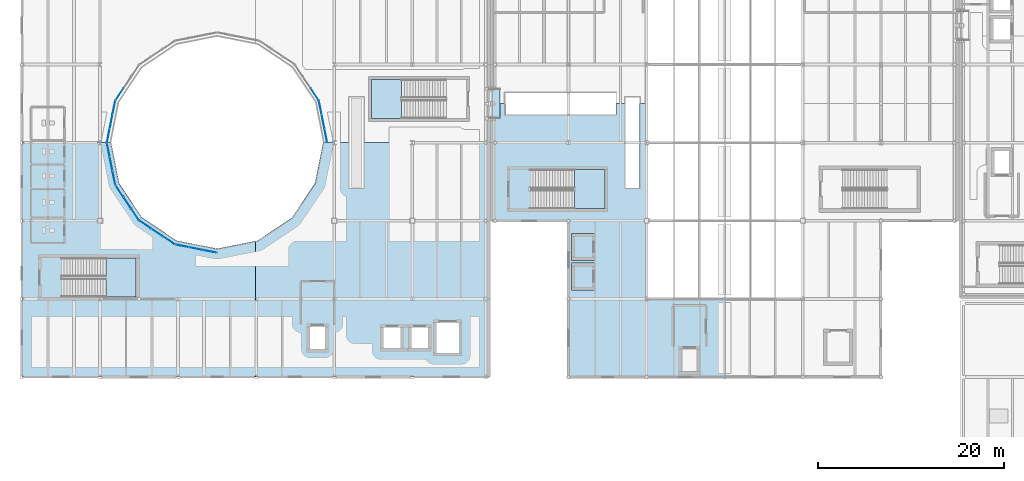
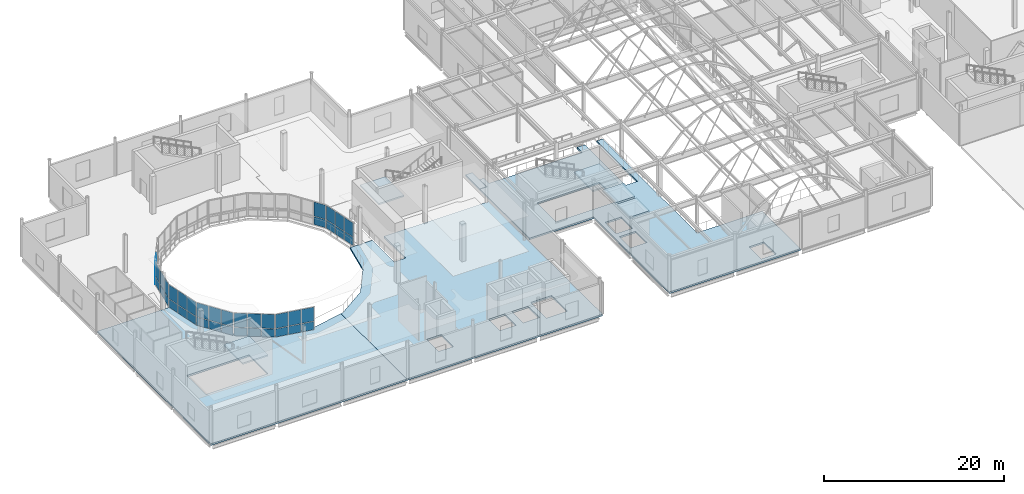
# One storey, part 57 of 103: 40 plates, 9 slabs, 11 elements without a shape of their own.
"""IFC4 building model written with IfcOpenShell, lengths in metres."""

from ifc_helpers import new_model, si_unit, direction, frame, origin, origin_2d, place, context, subcontext, project, spatial, polyline, rectangle, outline, extrude, material, layer, layer_set, type_object, element, aggregate, save


model = new_model("IFC4")

# Units and contexts
model_context = context("Model", 3, precision=1e-05, world=origin(), true_north=direction((0.0, 1.0)))
body_context = subcontext(model_context, "Body", "Model", "MODEL_VIEW")
ifc_project = project(units=[si_unit("LENGTHUNIT", "METRE"), si_unit("AREAUNIT", "SQUARE_METRE"), si_unit("VOLUMEUNIT", "CUBIC_METRE"), si_unit("PLANEANGLEUNIT", "RADIAN"), si_unit("MASSUNIT", "GRAM", prefix="KILO"), si_unit("THERMODYNAMICTEMPERATUREUNIT", "KELVIN")], contexts=[model_context])

# Site, building, storey
site_placement = place(None, origin())
site = spatial("IfcSite", under=ifc_project, at=site_placement, CompositionType="ELEMENT")
building_placement = place(site_placement, origin())
building = spatial("IfcBuilding", under=site, at=building_placement, Name="Lustrewick Department Store", CompositionType="ELEMENT")
storey_placement = place(building_placement, frame((0.0, 0.0, 16.5)))
storey = spatial("IfcBuildingStorey", under=building, at=storey_placement, Name="L04", CompositionType="ELEMENT", Elevation=16.5)

# Curtain wall, plates
ifc_material_1 = material(Name="Thermally broken aluminium 6063-T5", Category="aluminium")
ifc_layer_1 = layer(ifc_material_1, 0.169921875, Name="Thermally broken aluminium 6063-T5")
ifc_layer_set_1 = layer_set([ifc_layer_1], Name="Thermally broken aluminium 6063-T5")
curtain_wall_type_1 = type_object("IfcCurtainWallType", Name="CW16", PredefinedType="NOTDEFINED", material=ifc_layer_set_1)
curtain_wall_1_placement = place(storey_placement, origin())
curtain_wall_1 = element("IfcCurtainWall", 1, at=curtain_wall_1_placement, inside=storey, type_object=curtain_wall_type_1, Name="L04 Atrium Glazed Screen CW16", PredefinedType="NOTDEFINED")
ifc_material_2 = material(Name="Fire-protective atrium safety glass", Category="glass")
ifc_layer_2 = layer(ifc_material_2, 0.02490234375, Name="Fire-protective atrium safety glass")
ifc_layer_set_2 = layer_set([ifc_layer_2], Name="Fire-protective atrium safety glass")
plate_type_1 = type_object("IfcPlateType", Name="CP06", PredefinedType="CURTAIN_PANEL", material=ifc_layer_set_2)
plate_1_placement = place(storey_placement, frame((17.70361328125, 66.42822265625, 0.06494140625), z_axis=(0.0, 0.0, 1.0), x_axis=(0.195084537521, -0.980786430993, 0.0)))
plate_1 = element("IfcPlate", 2, at=plate_1_placement, type_object=plate_type_1, Name="CW16 panel 1.1", PredefinedType="CURTAIN_PANEL", context=body_context, shape_type="SweptSolid", body=[
    extrude(rectangle(XDim=1.443603515625, YDim=0.02490234375, at=origin_2d()), origin(), (0.0, 0.0, 1.0), 1.1025390625),
])
plate_2_placement = place(storey_placement, frame((17.70361328125, 66.42822265625, 1.232421875), z_axis=(0.0, 0.0, 1.0), x_axis=(0.195084537521, -0.980786430993, 0.0)))
plate_2 = element("IfcPlate", 3, at=plate_2_placement, type_object=plate_type_1, Name="CW16 panel 1.2", PredefinedType="CURTAIN_PANEL", context=body_context, shape_type="SweptSolid", body=[
    extrude(rectangle(XDim=1.443603515625, YDim=0.02490234375, at=origin_2d()), origin(), (0.0, 0.0, 1.0), 1.902587890625),
])
plate_3_placement = place(storey_placement, frame((18.0009765625, 64.9326171875, 0.06494140625), z_axis=(0.0, 0.0, 1.0), x_axis=(0.195084537521, -0.980786430993, 0.0)))
plate_3 = element("IfcPlate", 4, at=plate_3_placement, type_object=plate_type_1, Name="CW16 panel 2.1", PredefinedType="CURTAIN_PANEL", context=body_context, shape_type="SweptSolid", body=[
    extrude(rectangle(XDim=1.476318359375, YDim=0.02490234375, at=origin_2d()), origin(), (0.0, 0.0, 1.0), 1.1025390625),
])
plate_4_placement = place(storey_placement, frame((18.0009765625, 64.9326171875, 1.232421875), z_axis=(0.0, 0.0, 1.0), x_axis=(0.195084537521, -0.980786430993, 0.0)))
plate_4 = element("IfcPlate", 5, at=plate_4_placement, type_object=plate_type_1, Name="CW16 panel 2.2", PredefinedType="CURTAIN_PANEL", context=body_context, shape_type="SweptSolid", body=[
    extrude(rectangle(XDim=1.476318359375, YDim=0.02490234375, at=origin_2d()), origin(), (0.0, 0.0, 1.0), 1.902587890625),
])
plate_5_placement = place(storey_placement, frame((18.298583984375, 63.43701171875, 0.06494140625), z_axis=(0.0, 0.0, 1.0), x_axis=(0.195084537521, -0.980786430993, 0.0)))
plate_5 = element("IfcPlate", 6, at=plate_5_placement, type_object=plate_type_1, Name="CW16 panel 3.1", PredefinedType="CURTAIN_PANEL", context=body_context, shape_type="SweptSolid", body=[
    extrude(rectangle(XDim=1.443603515625, YDim=0.02490234375, at=origin_2d()), origin(), (0.0, 0.0, 1.0), 1.1025390625),
])
plate_6_placement = place(storey_placement, frame((18.298583984375, 63.43701171875, 1.232421875), z_axis=(0.0, 0.0, 1.0), x_axis=(0.195084537521, -0.980786430993, 0.0)))
plate_6 = element("IfcPlate", 7, at=plate_6_placement, type_object=plate_type_1, Name="CW16 panel 3.2", PredefinedType="CURTAIN_PANEL", context=body_context, shape_type="SweptSolid", body=[
    extrude(rectangle(XDim=1.443603515625, YDim=0.02490234375, at=origin_2d()), origin(), (0.0, 0.0, 1.0), 1.902587890625),
])
aggregate(curtain_wall_1, [plate_1, plate_2, plate_3, plate_4, plate_5, plate_6])

curtain_wall_2_placement = place(storey_placement, origin())
curtain_wall_2 = element("IfcCurtainWall", 8, at=curtain_wall_2_placement, inside=storey, type_object=curtain_wall_type_1, Name="L04 Atrium Glazed Screen CW16", PredefinedType="NOTDEFINED")
plate_7_placement = place(storey_placement, frame((25.636962890625, 56.098388671875, 0.06494140625), z_axis=(0.0, 0.0, 1.0), x_axis=(0.980786430993, -0.195084537521, 0.0)))
plate_7 = element("IfcPlate", 9, at=plate_7_placement, type_object=plate_type_1, Name="CW16 panel 1.1", PredefinedType="CURTAIN_PANEL", context=body_context, shape_type="SweptSolid", body=[
    extrude(rectangle(XDim=1.443603515625, YDim=0.02490234375, at=origin_2d()), origin(), (0.0, 0.0, 1.0), 1.1025390625),
])
plate_8_placement = place(storey_placement, frame((25.636962890625, 56.098388671875, 1.232421875), z_axis=(0.0, 0.0, 1.0), x_axis=(0.980786430993, -0.195084537521, 0.0)))
plate_8 = element("IfcPlate", 10, at=plate_8_placement, type_object=plate_type_1, Name="CW16 panel 1.2", PredefinedType="CURTAIN_PANEL", context=body_context, shape_type="SweptSolid", body=[
    extrude(rectangle(XDim=1.443603515625, YDim=0.02490234375, at=origin_2d()), origin(), (0.0, 0.0, 1.0), 1.902587890625),
])
plate_9_placement = place(storey_placement, frame((27.132568359375, 55.801025390625, 0.06494140625), z_axis=(0.0, 0.0, 1.0), x_axis=(0.980786430993, -0.195084537521, 0.0)))
plate_9 = element("IfcPlate", 11, at=plate_9_placement, type_object=plate_type_1, Name="CW16 panel 2.1", PredefinedType="CURTAIN_PANEL", context=body_context, shape_type="SweptSolid", body=[
    extrude(rectangle(XDim=1.476318359375, YDim=0.02490234375, at=origin_2d()), origin(), (0.0, 0.0, 1.0), 1.1025390625),
])
plate_10_placement = place(storey_placement, frame((27.132568359375, 55.801025390625, 1.232421875), z_axis=(0.0, 0.0, 1.0), x_axis=(0.980786430993, -0.195084537521, 0.0)))
plate_10 = element("IfcPlate", 12, at=plate_10_placement, type_object=plate_type_1, Name="CW16 panel 2.2", PredefinedType="CURTAIN_PANEL", context=body_context, shape_type="SweptSolid", body=[
    extrude(rectangle(XDim=1.476318359375, YDim=0.02490234375, at=origin_2d()), origin(), (0.0, 0.0, 1.0), 1.902587890625),
])
plate_11_placement = place(storey_placement, frame((28.628173828125, 55.50341796875, 0.06494140625), z_axis=(0.0, 0.0, 1.0), x_axis=(0.980786430993, -0.195084537521, 0.0)))
plate_11 = element("IfcPlate", 13, at=plate_11_placement, type_object=plate_type_1, Name="CW16 panel 3.1", PredefinedType="CURTAIN_PANEL", context=body_context, shape_type="SweptSolid", body=[
    extrude(rectangle(XDim=1.443603515625, YDim=0.02490234375, at=origin_2d()), origin(), (0.0, 0.0, 1.0), 1.1025390625),
])
plate_12_placement = place(storey_placement, frame((28.628173828125, 55.50341796875, 1.232421875), z_axis=(0.0, 0.0, 1.0), x_axis=(0.980786430993, -0.195084537521, 0.0)))
plate_12 = element("IfcPlate", 14, at=plate_12_placement, type_object=plate_type_1, Name="CW16 panel 3.2", PredefinedType="CURTAIN_PANEL", context=body_context, shape_type="SweptSolid", body=[
    extrude(rectangle(XDim=1.443603515625, YDim=0.02490234375, at=origin_2d()), origin(), (0.0, 0.0, 1.0), 1.902587890625),
])
aggregate(curtain_wall_2, [plate_7, plate_8, plate_9, plate_10, plate_11, plate_12])

ifc_layer_3 = layer(ifc_material_1, 0.159912109375, Name="Thermally broken aluminium 6063-T5")
ifc_layer_set_3 = layer_set([ifc_layer_3], Name="Thermally broken aluminium 6063-T5")
curtain_wall_type_2 = type_object("IfcCurtainWallType", Name="CW17", PredefinedType="NOTDEFINED", material=ifc_layer_set_3)
curtain_wall_3_placement = place(storey_placement, origin())
curtain_wall_3 = element("IfcCurtainWall", 15, at=curtain_wall_3_placement, inside=storey, type_object=curtain_wall_type_2, Name="L04 Atrium Glazed Screen CW17", PredefinedType="NOTDEFINED")
ifc_layer_4 = layer(ifc_material_2, 0.027099609375, Name="Fire-protective atrium safety glass")
ifc_layer_set_4 = layer_set([ifc_layer_4], Name="Fire-protective atrium safety glass")
plate_type_2 = type_object("IfcPlateType", Name="CP07", PredefinedType="CURTAIN_PANEL", material=ifc_layer_set_4)
plate_13_placement = place(storey_placement, frame((41.0966796875, 67.970458984375, 0.06005859375), z_axis=(0.0, 0.0, 1.0), x_axis=(-0.195084537521, 0.980786430993, 0.0)))
plate_13 = element("IfcPlate", 16, at=plate_13_placement, type_object=plate_type_2, Name="CW17 panel 1.1", PredefinedType="CURTAIN_PANEL", context=body_context, shape_type="SweptSolid", body=[
    extrude(rectangle(XDim=1.451171875, YDim=0.027099609375, at=origin_2d()), origin(), (0.0, 0.0, 1.0), 1.110107421875),
])
plate_14_placement = place(storey_placement, frame((41.0966796875, 67.970458984375, 1.22998046875), z_axis=(0.0, 0.0, 1.0), x_axis=(-0.195084537521, 0.980786430993, 0.0)))
plate_14 = element("IfcPlate", 17, at=plate_14_placement, type_object=plate_type_2, Name="CW17 panel 1.2", PredefinedType="CURTAIN_PANEL", context=body_context, shape_type="SweptSolid", body=[
    extrude(rectangle(XDim=1.451171875, YDim=0.027099609375, at=origin_2d()), origin(), (0.0, 0.0, 1.0), 1.909912109375),
])
plate_15_placement = place(storey_placement, frame((40.799072265625, 69.46728515625, 0.06005859375), z_axis=(0.0, 0.0, 1.0), x_axis=(-0.195084537521, 0.980786430993, 0.0)))
plate_15 = element("IfcPlate", 18, at=plate_15_placement, type_object=plate_type_2, Name="CW17 panel 2.1", PredefinedType="CURTAIN_PANEL", context=body_context, shape_type="SweptSolid", body=[
    extrude(rectangle(XDim=1.481201171875, YDim=0.027099609375, at=origin_2d()), origin(), (0.0, 0.0, 1.0), 1.110107421875),
])
plate_16_placement = place(storey_placement, frame((40.799072265625, 69.46728515625, 1.22998046875), z_axis=(0.0, 0.0, 1.0), x_axis=(-0.195084537521, 0.980786430993, 0.0)))
plate_16 = element("IfcPlate", 19, at=plate_16_placement, type_object=plate_type_2, Name="CW17 panel 2.2", PredefinedType="CURTAIN_PANEL", context=body_context, shape_type="SweptSolid", body=[
    extrude(rectangle(XDim=1.481201171875, YDim=0.027099609375, at=origin_2d()), origin(), (0.0, 0.0, 1.0), 1.909912109375),
])
plate_17_placement = place(storey_placement, frame((40.501220703125, 70.96435546875, 0.06005859375), z_axis=(0.0, 0.0, 1.0), x_axis=(-0.195084537521, 0.980786430993, 0.0)))
plate_17 = element("IfcPlate", 20, at=plate_17_placement, type_object=plate_type_2, Name="CW17 panel 3.1", PredefinedType="CURTAIN_PANEL", context=body_context, shape_type="SweptSolid", body=[
    extrude(rectangle(XDim=1.451171875, YDim=0.027099609375, at=origin_2d()), origin(), (0.0, 0.0, 1.0), 1.110107421875),
])
plate_18_placement = place(storey_placement, frame((40.501220703125, 70.96435546875, 1.22998046875), z_axis=(0.0, 0.0, 1.0), x_axis=(-0.195084537521, 0.980786430993, 0.0)))
plate_18 = element("IfcPlate", 21, at=plate_18_placement, type_object=plate_type_2, Name="CW17 panel 3.2", PredefinedType="CURTAIN_PANEL", context=body_context, shape_type="SweptSolid", body=[
    extrude(rectangle(XDim=1.451171875, YDim=0.027099609375, at=origin_2d()), origin(), (0.0, 0.0, 1.0), 1.909912109375),
])
aggregate(curtain_wall_3, [plate_13, plate_14, plate_15, plate_16, plate_17, plate_18])

curtain_wall_4_placement = place(storey_placement, origin())
curtain_wall_4 = element("IfcCurtainWall", 22, at=curtain_wall_4_placement, inside=storey, type_object=curtain_wall_type_2, Name="L04 Atrium Glazed Screen CW17", PredefinedType="NOTDEFINED")
plate_19_placement = place(storey_placement, frame((18.888427734375, 72.387939453125, 0.06005859375), z_axis=(0.0, 0.0, 1.0), x_axis=(-0.555578313862, -0.831464212799, 0.0)))
plate_19 = element("IfcPlate", 23, at=plate_19_placement, type_object=plate_type_2, Name="CW17 panel 3.1", PredefinedType="CURTAIN_PANEL", context=body_context, shape_type="SweptSolid", body=[
    extrude(rectangle(XDim=1.451171875, YDim=0.027099609375, at=origin_2d()), origin(), (0.0, 0.0, 1.0), 1.110107421875),
])
plate_20_placement = place(storey_placement, frame((18.888427734375, 72.387939453125, 1.22998046875), z_axis=(0.0, 0.0, 1.0), x_axis=(-0.555578313862, -0.831464212799, 0.0)))
plate_20 = element("IfcPlate", 24, at=plate_20_placement, type_object=plate_type_2, Name="CW17 panel 3.2", PredefinedType="CURTAIN_PANEL", context=body_context, shape_type="SweptSolid", body=[
    extrude(rectangle(XDim=1.451171875, YDim=0.027099609375, at=origin_2d()), origin(), (0.0, 0.0, 1.0), 1.909912109375),
])
aggregate(curtain_wall_4, [plate_19, plate_20])

curtain_wall_5_placement = place(storey_placement, origin())
curtain_wall_5 = element("IfcCurtainWall", 25, at=curtain_wall_5_placement, inside=storey, type_object=curtain_wall_type_2, Name="L04 Atrium Glazed Screen CW17", PredefinedType="NOTDEFINED")
plate_21_placement = place(storey_placement, frame((18.888427734375, 62.011962890625, 0.06005859375), z_axis=(0.0, 0.0, 1.0), x_axis=(0.555578313862, -0.831464212799, 0.0)))
plate_21 = element("IfcPlate", 26, at=plate_21_placement, type_object=plate_type_2, Name="CW17 panel 1.1", PredefinedType="CURTAIN_PANEL", context=body_context, shape_type="SweptSolid", body=[
    extrude(rectangle(XDim=1.451171875, YDim=0.027099609375, at=origin_2d()), origin(), (0.0, 0.0, 1.0), 1.110107421875),
])
plate_22_placement = place(storey_placement, frame((18.888427734375, 62.011962890625, 1.22998046875), z_axis=(0.0, 0.0, 1.0), x_axis=(0.555578313862, -0.831464212799, 0.0)))
plate_22 = element("IfcPlate", 27, at=plate_22_placement, type_object=plate_type_2, Name="CW17 panel 1.2", PredefinedType="CURTAIN_PANEL", context=body_context, shape_type="SweptSolid", body=[
    extrude(rectangle(XDim=1.451171875, YDim=0.027099609375, at=origin_2d()), origin(), (0.0, 0.0, 1.0), 1.909912109375),
])
plate_23_placement = place(storey_placement, frame((19.736328125, 60.742919921875, 0.06005859375), z_axis=(0.0, 0.0, 1.0), x_axis=(0.555578313862, -0.831464212799, 0.0)))
plate_23 = element("IfcPlate", 28, at=plate_23_placement, type_object=plate_type_2, Name="CW17 panel 2.1", PredefinedType="CURTAIN_PANEL", context=body_context, shape_type="SweptSolid", body=[
    extrude(rectangle(XDim=1.481201171875, YDim=0.027099609375, at=origin_2d()), origin(), (0.0, 0.0, 1.0), 1.110107421875),
])
plate_24_placement = place(storey_placement, frame((19.736328125, 60.742919921875, 1.22998046875), z_axis=(0.0, 0.0, 1.0), x_axis=(0.555578313862, -0.831464212799, 0.0)))
plate_24 = element("IfcPlate", 29, at=plate_24_placement, type_object=plate_type_2, Name="CW17 panel 2.2", PredefinedType="CURTAIN_PANEL", context=body_context, shape_type="SweptSolid", body=[
    extrude(rectangle(XDim=1.481201171875, YDim=0.027099609375, at=origin_2d()), origin(), (0.0, 0.0, 1.0), 1.909912109375),
])
plate_25_placement = place(storey_placement, frame((20.584228515625, 59.47412109375, 0.06005859375), z_axis=(0.0, 0.0, 1.0), x_axis=(0.555578313862, -0.831464212799, 0.0)))
plate_25 = element("IfcPlate", 30, at=plate_25_placement, type_object=plate_type_2, Name="CW17 panel 3.1", PredefinedType="CURTAIN_PANEL", context=body_context, shape_type="SweptSolid", body=[
    extrude(rectangle(XDim=1.451171875, YDim=0.027099609375, at=origin_2d()), origin(), (0.0, 0.0, 1.0), 1.110107421875),
])
plate_26_placement = place(storey_placement, frame((20.584228515625, 59.47412109375, 1.22998046875), z_axis=(0.0, 0.0, 1.0), x_axis=(0.555578313862, -0.831464212799, 0.0)))
plate_26 = element("IfcPlate", 31, at=plate_26_placement, type_object=plate_type_2, Name="CW17 panel 3.2", PredefinedType="CURTAIN_PANEL", context=body_context, shape_type="SweptSolid", body=[
    extrude(rectangle(XDim=1.451171875, YDim=0.027099609375, at=origin_2d()), origin(), (0.0, 0.0, 1.0), 1.909912109375),
])
aggregate(curtain_wall_5, [plate_21, plate_22, plate_23, plate_24, plate_25, plate_26])

ifc_layer_5 = layer(ifc_material_1, 0.14990234375, Name="Thermally broken aluminium 6063-T5")
ifc_layer_set_5 = layer_set([ifc_layer_5], Name="Thermally broken aluminium 6063-T5")
curtain_wall_type_3 = type_object("IfcCurtainWallType", Name="CW18", PredefinedType="NOTDEFINED", material=ifc_layer_set_5)
curtain_wall_6_placement = place(storey_placement, origin())
curtain_wall_6 = element("IfcCurtainWall", 32, at=curtain_wall_6_placement, inside=storey, type_object=curtain_wall_type_3, Name="L04 Atrium Glazed Screen CW18", PredefinedType="NOTDEFINED")
ifc_material_3 = material(Name="Fire-protective arcade safety glass", Category="glass")
ifc_layer_6 = layer(ifc_material_3, 0.029052734375, Name="Fire-protective arcade safety glass")
ifc_layer_set_6 = layer_set([ifc_layer_6], Name="Fire-protective arcade safety glass")
plate_type_3 = type_object("IfcPlateType", Name="CP08", PredefinedType="CURTAIN_PANEL", material=ifc_layer_set_6)
plate_27_placement = place(storey_placement, frame((39.91162109375, 72.387939453125, 0.06005859375), z_axis=(0.0, 0.0, 1.0), x_axis=(-0.555578313862, 0.831464212799, 0.0)))
plate_27 = element("IfcPlate", 33, at=plate_27_placement, type_object=plate_type_3, Name="CW18 panel 1.1", PredefinedType="CURTAIN_PANEL", context=body_context, shape_type="SweptSolid", body=[
    extrude(rectangle(XDim=1.451171875, YDim=0.029052734375, at=origin_2d()), origin(), (0.0, 0.0, 1.0), 1.110107421875),
])
plate_28_placement = place(storey_placement, frame((39.91162109375, 72.387939453125, 1.22998046875), z_axis=(0.0, 0.0, 1.0), x_axis=(-0.555578313862, 0.831464212799, 0.0)))
plate_28 = element("IfcPlate", 34, at=plate_28_placement, type_object=plate_type_3, Name="CW18 panel 1.2", PredefinedType="CURTAIN_PANEL", context=body_context, shape_type="SweptSolid", body=[
    extrude(rectangle(XDim=1.451171875, YDim=0.029052734375, at=origin_2d()), origin(), (0.0, 0.0, 1.0), 1.909912109375),
])
aggregate(curtain_wall_6, [plate_27, plate_28])

curtain_wall_7_placement = place(storey_placement, origin())
curtain_wall_7 = element("IfcCurtainWall", 35, at=curtain_wall_7_placement, inside=storey, type_object=curtain_wall_type_3, Name="L04 Atrium Glazed Screen CW18", PredefinedType="NOTDEFINED")
plate_29_placement = place(storey_placement, frame((18.298828125, 70.96435546875, 0.06005859375), z_axis=(0.0, 0.0, 1.0), x_axis=(-0.195084537521, -0.980786430993, 0.0)))
plate_29 = element("IfcPlate", 36, at=plate_29_placement, type_object=plate_type_3, Name="CW18 panel 1.1", PredefinedType="CURTAIN_PANEL", context=body_context, shape_type="SweptSolid", body=[
    extrude(rectangle(XDim=1.451171875, YDim=0.029052734375, at=origin_2d()), origin(), (0.0, 0.0, 1.0), 1.110107421875),
])
plate_30_placement = place(storey_placement, frame((18.298828125, 70.96435546875, 1.22998046875), z_axis=(0.0, 0.0, 1.0), x_axis=(-0.195084537521, -0.980786430993, 0.0)))
plate_30 = element("IfcPlate", 37, at=plate_30_placement, type_object=plate_type_3, Name="CW18 panel 1.2", PredefinedType="CURTAIN_PANEL", context=body_context, shape_type="SweptSolid", body=[
    extrude(rectangle(XDim=1.451171875, YDim=0.029052734375, at=origin_2d()), origin(), (0.0, 0.0, 1.0), 1.909912109375),
])
plate_31_placement = place(storey_placement, frame((18.0009765625, 69.46728515625, 0.06005859375), z_axis=(0.0, 0.0, 1.0), x_axis=(-0.195084537521, -0.980786430993, 0.0)))
plate_31 = element("IfcPlate", 38, at=plate_31_placement, type_object=plate_type_3, Name="CW18 panel 2.1", PredefinedType="CURTAIN_PANEL", context=body_context, shape_type="SweptSolid", body=[
    extrude(rectangle(XDim=1.481201171875, YDim=0.029052734375, at=origin_2d()), origin(), (0.0, 0.0, 1.0), 1.110107421875),
])
plate_32_placement = place(storey_placement, frame((18.0009765625, 69.46728515625, 1.22998046875), z_axis=(0.0, 0.0, 1.0), x_axis=(-0.195084537521, -0.980786430993, 0.0)))
plate_32 = element("IfcPlate", 39, at=plate_32_placement, type_object=plate_type_3, Name="CW18 panel 2.2", PredefinedType="CURTAIN_PANEL", context=body_context, shape_type="SweptSolid", body=[
    extrude(rectangle(XDim=1.481201171875, YDim=0.029052734375, at=origin_2d()), origin(), (0.0, 0.0, 1.0), 1.909912109375),
])
plate_33_placement = place(storey_placement, frame((17.703369140625, 67.970458984375, 0.06005859375), z_axis=(0.0, 0.0, 1.0), x_axis=(-0.195084537521, -0.980786430993, 0.0)))
plate_33 = element("IfcPlate", 40, at=plate_33_placement, type_object=plate_type_3, Name="CW18 panel 3.1", PredefinedType="CURTAIN_PANEL", context=body_context, shape_type="SweptSolid", body=[
    extrude(rectangle(XDim=1.451171875, YDim=0.029052734375, at=origin_2d()), origin(), (0.0, 0.0, 1.0), 1.110107421875),
])
plate_34_placement = place(storey_placement, frame((17.703369140625, 67.970458984375, 1.22998046875), z_axis=(0.0, 0.0, 1.0), x_axis=(-0.195084537521, -0.980786430993, 0.0)))
plate_34 = element("IfcPlate", 41, at=plate_34_placement, type_object=plate_type_3, Name="CW18 panel 3.2", PredefinedType="CURTAIN_PANEL", context=body_context, shape_type="SweptSolid", body=[
    extrude(rectangle(XDim=1.451171875, YDim=0.029052734375, at=origin_2d()), origin(), (0.0, 0.0, 1.0), 1.909912109375),
])
aggregate(curtain_wall_7, [plate_29, plate_30, plate_31, plate_32, plate_33, plate_34])

curtain_wall_8_placement = place(storey_placement, origin())
curtain_wall_8 = element("IfcCurtainWall", 42, at=curtain_wall_8_placement, inside=storey, type_object=curtain_wall_type_3, Name="L04 Atrium Glazed Screen CW18", PredefinedType="NOTDEFINED")
plate_35_placement = place(storey_placement, frame((21.674072265625, 58.38427734375, 0.06005859375), z_axis=(0.0, 0.0, 1.0), x_axis=(0.831464212799, -0.555578313862, 0.0)))
plate_35 = element("IfcPlate", 43, at=plate_35_placement, type_object=plate_type_3, Name="CW18 panel 1.1", PredefinedType="CURTAIN_PANEL", context=body_context, shape_type="SweptSolid", body=[
    extrude(rectangle(XDim=1.451171875, YDim=0.029052734375, at=origin_2d()), origin(), (0.0, 0.0, 1.0), 1.110107421875),
])
plate_36_placement = place(storey_placement, frame((21.674072265625, 58.38427734375, 1.22998046875), z_axis=(0.0, 0.0, 1.0), x_axis=(0.831464212799, -0.555578313862, 0.0)))
plate_36 = element("IfcPlate", 44, at=plate_36_placement, type_object=plate_type_3, Name="CW18 panel 1.2", PredefinedType="CURTAIN_PANEL", context=body_context, shape_type="SweptSolid", body=[
    extrude(rectangle(XDim=1.451171875, YDim=0.029052734375, at=origin_2d()), origin(), (0.0, 0.0, 1.0), 1.909912109375),
])
plate_37_placement = place(storey_placement, frame((22.943115234375, 57.536376953125, 0.06005859375), z_axis=(0.0, 0.0, 1.0), x_axis=(0.831464212799, -0.555578313862, 0.0)))
plate_37 = element("IfcPlate", 45, at=plate_37_placement, type_object=plate_type_3, Name="CW18 panel 2.1", PredefinedType="CURTAIN_PANEL", context=body_context, shape_type="SweptSolid", body=[
    extrude(rectangle(XDim=1.481201171875, YDim=0.029052734375, at=origin_2d()), origin(), (0.0, 0.0, 1.0), 1.110107421875),
])
plate_38_placement = place(storey_placement, frame((22.943115234375, 57.536376953125, 1.22998046875), z_axis=(0.0, 0.0, 1.0), x_axis=(0.831464212799, -0.555578313862, 0.0)))
plate_38 = element("IfcPlate", 46, at=plate_38_placement, type_object=plate_type_3, Name="CW18 panel 2.2", PredefinedType="CURTAIN_PANEL", context=body_context, shape_type="SweptSolid", body=[
    extrude(rectangle(XDim=1.481201171875, YDim=0.029052734375, at=origin_2d()), origin(), (0.0, 0.0, 1.0), 1.909912109375),
])
plate_39_placement = place(storey_placement, frame((24.2119140625, 56.6884765625, 0.06005859375), z_axis=(0.0, 0.0, 1.0), x_axis=(0.831464212799, -0.555578313862, 0.0)))
plate_39 = element("IfcPlate", 47, at=plate_39_placement, type_object=plate_type_3, Name="CW18 panel 3.1", PredefinedType="CURTAIN_PANEL", context=body_context, shape_type="SweptSolid", body=[
    extrude(rectangle(XDim=1.451171875, YDim=0.029052734375, at=origin_2d()), origin(), (0.0, 0.0, 1.0), 1.110107421875),
])
plate_40_placement = place(storey_placement, frame((24.2119140625, 56.6884765625, 1.22998046875), z_axis=(0.0, 0.0, 1.0), x_axis=(0.831464212799, -0.555578313862, 0.0)))
plate_40 = element("IfcPlate", 48, at=plate_40_placement, type_object=plate_type_3, Name="CW18 panel 3.2", PredefinedType="CURTAIN_PANEL", context=body_context, shape_type="SweptSolid", body=[
    extrude(rectangle(XDim=1.451171875, YDim=0.029052734375, at=origin_2d()), origin(), (0.0, 0.0, 1.0), 1.909912109375),
])
aggregate(curtain_wall_8, [plate_35, plate_36, plate_37, plate_38, plate_39, plate_40])

# Slabs
ifc_material_4 = material(Name="Concrete C30", Category="concrete")
ifc_layer_7 = layer(ifc_material_4, 0.235107421875, Name="Concrete C30")
ifc_layer_set_7 = layer_set([ifc_layer_7], Name="Concrete C30")
slab_type_1 = type_object("IfcSlabType", Name="FS04", PredefinedType="FLOOR", material=ifc_layer_set_7)
slab_1_placement = place(storey_placement, frame((0.0, 0.0, -0.235107421875)))
element("IfcSlab", 49, at=slab_1_placement, inside=storey, type_object=slab_type_1, Name="L04 V1 Floor Slab FS04", PredefinedType="FLOOR", context=body_context, shape_type="SweptSolid", body=[
    extrude(outline(polyline([(8.39990234375, 42.0), (33.52490234375, 42.0), (33.52490234375, 56.62060546875), (29.39990234375, 55.800048828125), (25.037353515625, 56.667724609375), (21.339111328125, 59.138916015625), (18.867919921875, 62.83740234375), (18.0, 67.199951171875), (8.39990234375, 67.199951171875), (8.39990234375, 42.0)]), holes=[polyline([(12.719970703125, 50.60009765625), (12.719970703125, 54.800048828125), (20.699951171875, 54.800048828125), (20.699951171875, 50.60009765625), (12.719970703125, 50.60009765625)])]), origin(), (0.0, 0.0, 1.0), 0.235107421875),
])
slab_2_placement = place(storey_placement, frame((0.0, 0.0, -0.235107421875)))
element("IfcSlab", 50, at=slab_2_placement, inside=storey, type_object=slab_type_1, Name="L04 V1 Floor Slab FS04", PredefinedType="FLOOR", context=body_context, shape_type="SweptSolid", body=[
    extrude(outline(polyline([(58.64990234375, 42.0), (58.64990234375, 67.199951171875), (45.14990234375, 67.199951171875), (45.14990234375, 62.35009765625), (43.64990234375, 62.35009765625), (43.64990234375, 67.199951171875), (40.800048828125, 67.199951171875), (39.93212890625, 62.83740234375), (37.4609375, 59.138916015625), (33.7626953125, 56.667724609375), (33.52490234375, 56.62060546875), (33.52490234375, 42.0), (58.64990234375, 42.0)]), holes=[polyline([(52.85009765625, 44.449951171875), (52.85009765625, 47.949951171875), (55.550048828125, 47.949951171875), (55.550048828125, 44.449951171875), (52.85009765625, 44.449951171875)]), polyline([(50.14990234375, 44.949951171875), (50.14990234375, 47.449951171875), (52.25, 47.449951171875), (52.25, 44.949951171875), (50.14990234375, 44.949951171875)]), polyline([(47.14990234375, 44.949951171875), (47.14990234375, 47.449951171875), (49.25, 47.449951171875), (49.25, 44.949951171875), (47.14990234375, 44.949951171875)]), polyline([(39.25, 44.85009765625), (39.25, 47.550048828125), (41.14990234375, 47.550048828125), (41.14990234375, 44.85009765625), (39.25, 44.85009765625)])]), origin(), (0.0, 0.0, 1.0), 0.235107421875),
])
slab_3_placement = place(storey_placement, frame((0.0, 0.0, -0.235107421875)))
element("IfcSlab", 51, at=slab_3_placement, inside=storey, type_object=slab_type_1, Name="L04 V2 Floor Slab FS04", PredefinedType="FLOOR", context=body_context, shape_type="SweptSolid", body=[
    extrude(outline(polyline([(72.320068359375, 71.39990234375), (72.320068359375, 70.27001953125), (72.320068359375, 70.25), (60.39990234375, 70.25), (60.39990234375, 70.27001953125), (60.39990234375, 71.39990234375), (59.8349609375, 71.39990234375), (59.8349609375, 69.794921875), (58.949951171875, 69.794921875), (58.949951171875, 58.800048828125), (67.199951171875, 58.800048828125), (67.199951171875, 42.0), (84.0, 42.0), (84.0, 50.39990234375), (75.60009765625, 50.39990234375), (75.60009765625, 71.39990234375), (74.85009765625, 71.39990234375), (74.85009765625, 62.35009765625), (73.35009765625, 62.35009765625), (73.35009765625, 71.39990234375), (72.320068359375, 71.39990234375)]), holes=[polyline([(81.14990234375, 45.14990234375), (79.25, 45.14990234375), (79.25, 42.449951171875), (81.14990234375, 42.449951171875), (81.14990234375, 45.14990234375)]), polyline([(71.10009765625, 60.10009765625), (71.10009765625, 64.300048828125), (63.1201171875, 64.300048828125), (63.1201171875, 60.10009765625), (71.10009765625, 60.10009765625)]), polyline([(69.85009765625, 51.550048828125), (69.85009765625, 54.050048828125), (67.75, 54.050048828125), (67.75, 51.550048828125), (69.85009765625, 51.550048828125)]), polyline([(69.85009765625, 54.75), (69.85009765625, 57.25), (67.75, 57.25), (67.75, 54.75), (69.85009765625, 54.75)])]), origin(), (0.0, 0.0, 1.0), 0.235107421875),
])
ifc_layer_8 = layer(ifc_material_4, 0.215087890625, Name="Concrete C30")
ifc_layer_set_8 = layer_set([ifc_layer_8], Name="Concrete C30")
slab_type_2 = type_object("IfcSlabType", Name="FS10", PredefinedType="FLOOR", material=ifc_layer_set_8)
slab_4_placement = place(storey_placement, frame((0.0, 0.0, -0.215087890625)))
element("IfcSlab", 52, at=slab_4_placement, inside=storey, type_object=slab_type_2, Name="L04 Skybridge SB12 Deck Slab", PredefinedType="FLOOR", context=body_context, shape_type="SweptSolid", body=[
    extrude(outline(polyline([(59.830078125, 69.800048828125), (59.830078125, 73.0), (58.955078125, 73.0), (58.955078125, 69.800048828125), (59.830078125, 69.800048828125)])), origin(), (0.0, 0.0, 1.0), 0.215087890625),
])

# Stair, slab
stair_type = type_object("IfcStairType", Name="ST-H51", PredefinedType="HALF_TURN_STAIR", material=ifc_material_4)
stair_1_placement = place(storey_placement, origin())
stair_1 = element("IfcStair", 53, at=stair_1_placement, inside=storey, type_object=stair_type, Name="L04 Smoke-Proof Exit Stair ST01", PredefinedType="HALF_TURN_STAIR")
ifc_layer_9 = layer(ifc_material_4, 0.199951171875, Name="Concrete C30")
ifc_layer_set_9 = layer_set([ifc_layer_9], Name="Concrete C30")
slab_type_3 = type_object("IfcSlabType", Name="LS01", PredefinedType="LANDING", material=ifc_layer_set_9)
slab_5_placement = place(storey_placement, frame((0.0, 0.0, 2.35009765625)))
slab_5 = element("IfcSlab", 54, at=slab_5_placement, type_object=slab_type_3, Name="ST-H51 landing 1", PredefinedType="LANDING", context=body_context, shape_type="SweptSolid", body=[
    extrude(outline(polyline([(17.449951171875, 50.60009765625), (20.699951171875, 50.60009765625), (20.699951171875, 54.800048828125), (17.449951171875, 54.800048828125), (17.449951171875, 50.60009765625)])), origin(), (0.0, 0.0, 1.0), 0.199951171875),
])
aggregate(stair_1, [slab_5])

stair_2_placement = place(storey_placement, origin())
stair_2 = element("IfcStair", 55, at=stair_2_placement, inside=storey, type_object=stair_type, Name="L04 Smoke-Proof Exit Stair ST02", PredefinedType="HALF_TURN_STAIR")
slab_6_placement = place(storey_placement, frame((0.0, 0.0, 2.35009765625)))
slab_6 = element("IfcSlab", 56, at=slab_6_placement, type_object=slab_type_3, Name="ST-H51 landing 1", PredefinedType="LANDING", context=body_context, shape_type="SweptSolid", body=[
    extrude(outline(polyline([(49.25, 74.0), (46.0, 74.0), (46.0, 69.800048828125), (49.25, 69.800048828125), (49.25, 74.0)])), origin(), (0.0, 0.0, 1.0), 0.199951171875),
])
aggregate(stair_2, [slab_6])

stair_3_placement = place(storey_placement, origin())
stair_3 = element("IfcStair", 57, at=stair_3_placement, inside=storey, type_object=stair_type, Name="L04 Smoke-Proof Exit Stair ST04", PredefinedType="HALF_TURN_STAIR")
slab_7_placement = place(storey_placement, frame((0.0, 0.0, 2.35009765625)))
slab_7 = element("IfcSlab", 58, at=slab_7_placement, type_object=slab_type_3, Name="ST-H51 landing 1", PredefinedType="LANDING", context=body_context, shape_type="SweptSolid", body=[
    extrude(outline(polyline([(67.85009765625, 60.10009765625), (71.10009765625, 60.10009765625), (71.10009765625, 64.300048828125), (67.85009765625, 64.300048828125), (67.85009765625, 60.10009765625)])), origin(), (0.0, 0.0, 1.0), 0.199951171875),
])
aggregate(stair_3, [slab_7])

# Slabs
ifc_material_5 = material(Name="Concrete C35", Category="concrete")
ifc_layer_10 = layer(ifc_material_5, 0.26806640625, Name="Concrete C35")
ifc_layer_set_10 = layer_set([ifc_layer_10], Name="Concrete C35")
slab_type_4 = type_object("IfcSlabType", Name="RS02", PredefinedType="ROOF", material=ifc_layer_set_10)
slab_8_placement = place(storey_placement, frame((0.0, 0.0, 4.094970703125)))
element("IfcSlab", 59, at=slab_8_placement, inside=storey, type_object=slab_type_4, Name="L04 Lift PL-03 Overrun Cap Slab", PredefinedType="ROOF", context=body_context, shape_type="SweptSolid", body=[
    extrude(outline(polyline([(70.06005859375, 51.340087890625), (70.06005859375, 54.260009765625), (67.5400390625, 54.260009765625), (67.5400390625, 51.340087890625), (70.06005859375, 51.340087890625)])), origin(), (0.0, 0.0, 1.0), 0.26806640625),
])
slab_9_placement = place(storey_placement, frame((0.0, 0.0, 4.094970703125)))
element("IfcSlab", 60, at=slab_9_placement, inside=storey, type_object=slab_type_4, Name="L04 Lift PL-04 Overrun Cap Slab", PredefinedType="ROOF", context=body_context, shape_type="SweptSolid", body=[
    extrude(outline(polyline([(70.06005859375, 54.5400390625), (70.06005859375, 57.4599609375), (67.5400390625, 57.4599609375), (67.5400390625, 54.5400390625), (70.06005859375, 54.5400390625)])), origin(), (0.0, 0.0, 1.0), 0.26806640625),
])

save(model, "model.ifc")
